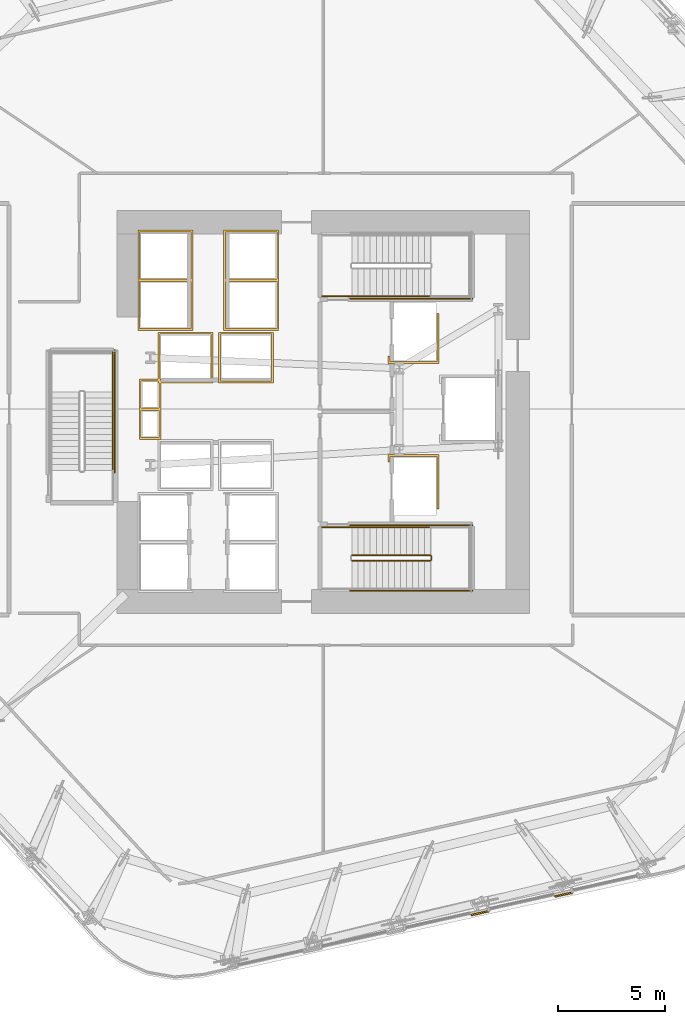
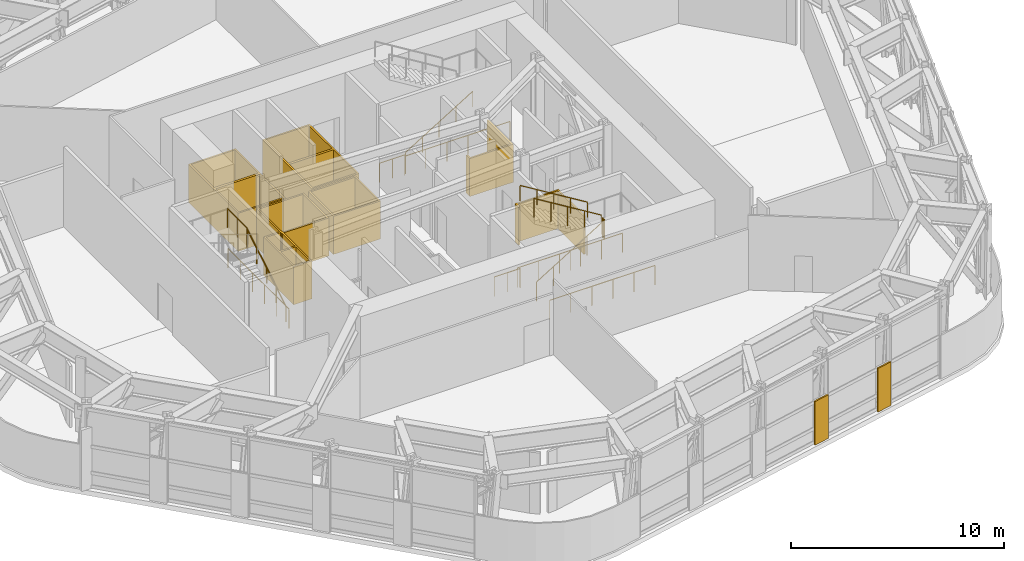
# One storey, part 13 of 16: 13 railings, 8 coverings.
"""IFC4 building model written with IfcOpenShell, lengths in metres."""

from ifc_helpers import new_model, si_unit, direction, frame, origin, origin_2d, place, context, subcontext, project, spatial, polyline, circle, outline, extrude, material, layer, layer_set, type_object, element, save


model = new_model("IFC4")

# Units and contexts
model_context = context("Model", 3, precision=1e-05, world=origin(), true_north=direction((0.0, 1.0)))
body_context = subcontext(model_context, "Body", "Model", "MODEL_VIEW")
ifc_project = project(units=[si_unit("LENGTHUNIT", "METRE"), si_unit("AREAUNIT", "SQUARE_METRE"), si_unit("VOLUMEUNIT", "CUBIC_METRE"), si_unit("PLANEANGLEUNIT", "RADIAN"), si_unit("MASSUNIT", "GRAM", prefix="KILO")], contexts=[model_context])

# Site, building, storey
site_placement = place(None, origin())
site = spatial("IfcSite", under=ifc_project, at=site_placement, CompositionType="ELEMENT")
building_placement = place(site_placement, origin())
building = spatial("IfcBuilding", under=site, at=building_placement, Name="Valkerne Bourse Tower", CompositionType="ELEMENT")
storey_placement = place(building_placement, frame((0.0, 0.0, 77.199951171875)))
storey = spatial("IfcBuildingStorey", under=building, at=storey_placement, Name="L19", CompositionType="ELEMENT", Elevation=77.199951171875)

# Coverings
ifc_material_1 = material(Name="Bronze Anodised Aluminium AA 6063-T6", Category="aluminium")
ifc_layer_1 = layer(ifc_material_1, 0.06005859375)
ifc_layer_set_1 = layer_set([ifc_layer_1], Name="Bronze Anodised Aluminium AA 6063-T6")
covering_type_1 = type_object("IfcCoveringType", Name="COV-CRN-ALUM", PredefinedType="CLADDING", material=ifc_layer_set_1)
covering_1_placement = place(storey_placement, origin())
element("IfcCovering", 1, at=covering_1_placement, inside=storey, type_object=covering_type_1, Name="L19 Wind-Shaped Corner Aluminium Cladding 02", PredefinedType="CLADDING", context=body_context, shape_type="SweptSolid", body=[
    extrude(outline(polyline([(57.58984375, 4.28125), (57.572509765625, 4.359375), (58.392578125, 4.541015625), (58.409912109375, 4.462890625), (57.58984375, 4.28125)])), origin(), (0.0, 0.0, 1.0), 2.5),
])
covering_2_placement = place(storey_placement, origin())
element("IfcCovering", 2, at=covering_2_placement, inside=storey, type_object=covering_type_1, Name="L19 Wind-Shaped Corner Aluminium Cladding 03", PredefinedType="CLADDING", context=body_context, shape_type="SweptSolid", body=[
    extrude(outline(polyline([(53.6884765625, 3.41650390625), (53.6708984375, 3.49462890625), (54.4912109375, 3.676513671875), (54.508544921875, 3.598388671875), (53.6884765625, 3.41650390625)])), origin(), (0.0, 0.0, 1.0), 2.5),
])
ifc_material_2 = material(Name="Gypsum Shaftwall Liner Board", Category="gypsum")
ifc_layer_2 = layer(ifc_material_2, 0.080078125)
ifc_layer_set_2 = layer_set([ifc_layer_2], Name="Gypsum Shaftwall Liner Board")
covering_type_2 = type_object("IfcCoveringType", Name="COV-SHF-CLAD", PredefinedType="CLADDING", material=ifc_layer_set_2)
covering_3_placement = place(storey_placement, origin())
element("IfcCovering", 3, at=covering_3_placement, inside=storey, type_object=covering_type_2, Name="L19 Hoistway & Riser Shaftwall Liner 04", PredefinedType="CLADDING", context=body_context, shape_type="SweptSolid", body=[
    extrude(outline(polyline([(38.239990234375, 28.409912109375), (39.1201171875, 28.409912109375), (39.1201171875, 30.580078125), (41.679931640625, 30.580078125), (41.679931640625, 28.219970703125), (39.239990234375, 28.219970703125), (39.239990234375, 27.0400390625), (39.239990234375, 26.9599609375), (39.239990234375, 25.590087890625), (38.239990234375, 25.590087890625), (38.239990234375, 26.9599609375), (38.239990234375, 27.0400390625), (38.239990234375, 28.409912109375)]), holes=[polyline([(39.2099609375, 30.489990234375), (39.2099609375, 28.409912109375), (39.239990234375, 28.409912109375), (39.239990234375, 28.31005859375), (41.590087890625, 28.31005859375), (41.590087890625, 30.489990234375), (39.2099609375, 30.489990234375)]), polyline([(38.330078125, 26.949951171875), (38.330078125, 25.679931640625), (39.14990234375, 25.679931640625), (39.14990234375, 26.949951171875), (38.330078125, 26.949951171875)]), polyline([(39.1201171875, 28.219970703125), (39.1201171875, 28.320068359375), (38.330078125, 28.320068359375), (38.330078125, 27.050048828125), (39.14990234375, 27.050048828125), (39.14990234375, 28.219970703125), (39.1201171875, 28.219970703125)])]), origin(), (0.0, 0.0, 1.0), 2.179931640625),
])
covering_4_placement = place(storey_placement, origin())
element("IfcCovering", 4, at=covering_4_placement, inside=storey, type_object=covering_type_2, Name="L19 Hoistway & Riser Shaftwall Liner 05", PredefinedType="CLADDING", context=body_context, shape_type="SweptSolid", body=[
    extrude(outline(polyline([(38.169921875, 35.330078125), (40.72998046875, 35.330078125), (40.72998046875, 33.030029296875), (40.72998046875, 32.969970703125), (40.72998046875, 30.669921875), (38.169921875, 30.669921875), (38.169921875, 32.969970703125), (38.169921875, 33.030029296875), (38.169921875, 35.330078125)]), holes=[polyline([(38.260009765625, 32.93994140625), (38.260009765625, 30.760009765625), (40.639892578125, 30.760009765625), (40.639892578125, 32.93994140625), (38.260009765625, 32.93994140625)]), polyline([(38.260009765625, 35.239990234375), (38.260009765625, 33.06005859375), (40.639892578125, 33.06005859375), (40.639892578125, 35.239990234375), (38.260009765625, 35.239990234375)])]), origin(), (0.0, 0.0, 1.0), 2.179931640625),
])
covering_5_placement = place(storey_placement, origin())
element("IfcCovering", 5, at=covering_5_placement, inside=storey, type_object=covering_type_2, Name="L19 Hoistway & Riser Shaftwall Liner 07", PredefinedType="CLADDING", context=body_context, shape_type="SweptSolid", body=[
    extrude(outline(polyline([(52.179931640625, 22.35009765625), (52.090087890625, 22.35009765625), (52.090087890625, 24.7900390625), (49.909912109375, 24.7900390625), (49.909912109375, 24.560791015625), (49.869384765625, 24.550537109375), (49.827880859375, 24.53564453125), (49.820068359375, 24.531982421875), (49.820068359375, 24.8798828125), (52.179931640625, 24.8798828125), (52.179931640625, 22.35009765625)])), origin(), (0.0, 0.0, 1.0), 2.179931640625),
])
covering_6_placement = place(storey_placement, origin())
element("IfcCovering", 6, at=covering_6_placement, inside=storey, type_object=covering_type_2, Name="L19 Hoistway & Riser Shaftwall Liner 09", PredefinedType="CLADDING", context=body_context, shape_type="SweptSolid", body=[
    extrude(outline(polyline([(44.47998046875, 28.219970703125), (41.919921875, 28.219970703125), (41.919921875, 30.580078125), (44.47998046875, 30.580078125), (44.47998046875, 28.219970703125)]), holes=[polyline([(42.010009765625, 30.489990234375), (42.010009765625, 28.31005859375), (44.389892578125, 28.31005859375), (44.389892578125, 30.489990234375), (42.010009765625, 30.489990234375)])]), origin(), (0.0, 0.0, 1.0), 2.179931640625),
])
covering_7_placement = place(storey_placement, origin())
element("IfcCovering", 7, at=covering_7_placement, inside=storey, type_object=covering_type_2, Name="L19 Hoistway & Riser Shaftwall Liner 10", PredefinedType="CLADDING", context=body_context, shape_type="SweptSolid", body=[
    extrude(outline(polyline([(49.820068359375, 29.1201171875), (49.820068359375, 29.468017578125), (49.827880859375, 29.46435546875), (49.869384765625, 29.449462890625), (49.909912109375, 29.439208984375), (49.909912109375, 29.2099609375), (52.090087890625, 29.2099609375), (52.090087890625, 31.449951171875), (52.179931640625, 31.449951171875), (52.179931640625, 29.1201171875), (49.820068359375, 29.1201171875)])), origin(), (0.0, 0.0, 1.0), 2.179931640625),
])
covering_8_placement = place(storey_placement, origin())
element("IfcCovering", 8, at=covering_8_placement, inside=storey, type_object=covering_type_2, Name="L19 Hoistway & Riser Shaftwall Liner 11", PredefinedType="CLADDING", context=body_context, shape_type="SweptSolid", body=[
    extrude(outline(polyline([(44.72998046875, 35.330078125), (44.72998046875, 33.030029296875), (44.72998046875, 32.969970703125), (44.72998046875, 30.669921875), (42.169921875, 30.669921875), (42.169921875, 32.969970703125), (42.169921875, 33.030029296875), (42.169921875, 35.330078125), (44.72998046875, 35.330078125)]), holes=[polyline([(42.260009765625, 30.760009765625), (44.639892578125, 30.760009765625), (44.639892578125, 32.93994140625), (42.260009765625, 32.93994140625), (42.260009765625, 30.760009765625)]), polyline([(42.260009765625, 33.06005859375), (44.639892578125, 33.06005859375), (44.639892578125, 35.239990234375), (42.260009765625, 35.239990234375), (42.260009765625, 33.06005859375)])]), origin(), (0.0, 0.0, 1.0), 2.179931640625),
])

# Railings
ifc_material_3 = material(Name="Galvanised Painted Steel", Category="steel")
railing_type_1 = type_object("IfcRailingType", Name="RLG-ST-GUARD-1120", PredefinedType="GUARDRAIL", material=ifc_material_3)
railing_1_placement = place(storey_placement, frame((48.14990234375, 19.949951171875, 0.17138671875)))
element("IfcRailing", 9, at=railing_1_placement, inside=storey, type_object=railing_type_1, Name="L19 ST-1 stair guard 1", PredefinedType="GUARDRAIL", context=body_context, shape_type="SweptSolid", body=[
    extrude(circle(Radius=0.02392578125, at=origin_2d()), frame((0.0, 0.0, 1.09619140625), z_axis=(0.852840387347, 0.0, 0.522171689878), x_axis=(0.0, 1.0, 0.0)), (0.0, 0.0, 1.0), 4.268310546875),
    extrude(circle(Radius=0.02099609375, at=origin_2d()), origin(), (0.0, 0.0, 1.0), 1.072021484375),
    extrude(circle(Radius=0.02099609375, at=origin_2d()), frame((0.91015625, 0.0, 0.55712890625)), (0.0, 0.0, 1.0), 1.072021484375),
    extrude(circle(Radius=0.02099609375, at=origin_2d()), frame((1.820068359375, 0.0, 1.1142578125)), (0.0, 0.0, 1.0), 1.072021484375),
    extrude(circle(Radius=0.02099609375, at=origin_2d()), frame((2.72998046875, 0.0, 1.671630859375)), (0.0, 0.0, 1.0), 1.072021484375),
    extrude(circle(Radius=0.02099609375, at=origin_2d()), frame((3.64013671875, 0.0, 2.228759765625)), (0.0, 0.0, 1.0), 1.072021484375),
])
railing_2_placement = place(storey_placement, frame((51.840087890625, 20.0, 2.400146484375)))
element("IfcRailing", 10, at=railing_2_placement, inside=storey, type_object=railing_type_1, Name="L19 ST-1 stair guard 2", PredefinedType="GUARDRAIL", context=body_context, shape_type="SweptSolid", body=[
    extrude(circle(Radius=0.02392578125, at=origin_2d()), frame((0.0, 0.0, 1.09619140625), z_axis=(0.0, 1.0, 0.0), x_axis=(-1.0, 0.0, 0.0)), (0.0, 0.0, 1.0), 0.14990234375),
    extrude(circle(Radius=0.02099609375, at=origin_2d()), origin(), (0.0, 0.0, 1.0), 1.072021484375),
    extrude(circle(Radius=0.02099609375, at=origin_2d()), frame((0.0, 0.14990234375, 0.0)), (0.0, 0.0, 1.0), 1.072021484375),
])
railing_3_placement = place(storey_placement, frame((51.7900390625, 20.199951171875, 2.571533203125)))
element("IfcRailing", 11, at=railing_3_placement, inside=storey, type_object=railing_type_1, Name="L19 ST-1 stair guard 6", PredefinedType="GUARDRAIL", context=body_context, shape_type="SweptSolid", body=[
    extrude(circle(Radius=0.02392578125, at=origin_2d()), frame((0.0, 0.0, 1.09619140625), z_axis=(-0.852865859571, 0.0, 0.52213008492), x_axis=(0.0, -1.0, 0.0)), (0.0, 0.0, 1.0), 4.26806640625),
    extrude(circle(Radius=0.02099609375, at=origin_2d()), origin(), (0.0, 0.0, 1.0), 1.072021484375),
    extrude(circle(Radius=0.02099609375, at=origin_2d()), frame((-0.91015625, 0.0, 0.55712890625)), (0.0, 0.0, 1.0), 1.072021484375),
    extrude(circle(Radius=0.02099609375, at=origin_2d()), frame((-1.820068359375, 0.0, 1.1142578125)), (0.0, 0.0, 1.0), 1.072021484375),
    extrude(circle(Radius=0.02099609375, at=origin_2d()), frame((-2.72998046875, 0.0, 1.67138671875)), (0.0, 0.0, 1.0), 1.072021484375),
    extrude(circle(Radius=0.02099609375, at=origin_2d()), frame((-3.64013671875, 0.0, 2.228515625)), (0.0, 0.0, 1.0), 1.072021484375),
])
railing_4_placement = place(storey_placement, frame((46.75, 21.5, 0.0)))
element("IfcRailing", 12, at=railing_4_placement, inside=storey, type_object=railing_type_1, Name="L19 ST-1 stair guard 9", PredefinedType="GUARDRAIL", context=body_context, shape_type="SweptSolid", body=[
    extrude(circle(Radius=0.02392578125, at=origin_2d()), frame((0.0, 0.0, 1.09619140625), z_axis=(1.0, 0.0, 0.0), x_axis=(0.0, 1.0, 0.0)), (0.0, 0.0, 1.0), 1.39990234375),
    extrude(circle(Radius=0.02099609375, at=origin_2d()), origin(), (0.0, 0.0, 1.0), 1.072021484375),
    extrude(circle(Radius=0.02099609375, at=origin_2d()), frame((0.699951171875, 0.0, 0.0)), (0.0, 0.0, 1.0), 1.072021484375),
    extrude(circle(Radius=0.02099609375, at=origin_2d()), frame((1.39990234375, 0.0, 0.0)), (0.0, 0.0, 1.0), 1.072021484375),
])
for number, where, name in (
    (13, (48.050048828125, 18.550048828125, 0.0), "L19 ST-1 stair guard 10"),
    (14, (48.050048828125, 21.60009765625, 0.0), "L19 ST-1 stair guard 11"),
):
    element("IfcRailing", number, at=place(storey_placement, frame(where)), inside=storey, type_object=railing_type_1, Name=name, PredefinedType="GUARDRAIL", context=body_context, shape_type="SweptSolid", body=[
        extrude(circle(Radius=0.02392578125, at=origin_2d()), frame((0.0, 0.0, 1.09619140625), z_axis=(1.0, 0.0, 0.0), x_axis=(0.0, 1.0, 0.0)), (0.0, 0.0, 1.0), 5.699951171875),
        extrude(circle(Radius=0.02099609375, at=origin_2d()), origin(), (0.0, 0.0, 1.0), 1.072021484375),
        extrude(circle(Radius=0.02099609375, at=origin_2d()), frame((1.139892578125, 0.0, 0.0)), (0.0, 0.0, 1.0), 1.072021484375),
        extrude(circle(Radius=0.02099609375, at=origin_2d()), frame((2.280029296875, 0.0, 0.0)), (0.0, 0.0, 1.0), 1.072021484375),
        extrude(circle(Radius=0.02099609375, at=origin_2d()), frame((3.419921875, 0.0, 0.0)), (0.0, 0.0, 1.0), 1.072021484375),
        extrude(circle(Radius=0.02099609375, at=origin_2d()), frame((4.56005859375, 0.0, 0.0)), (0.0, 0.0, 1.0), 1.072021484375),
        extrude(circle(Radius=0.02099609375, at=origin_2d()), frame((5.699951171875, 0.0, 0.0)), (0.0, 0.0, 1.0), 1.072021484375),
    ])
railing_5_placement = place(storey_placement, frame((46.75, 32.25, 0.0)))
element("IfcRailing", 15, at=railing_5_placement, inside=storey, type_object=railing_type_1, Name="L19 ST-2 stair guard 8", PredefinedType="GUARDRAIL", context=body_context, shape_type="SweptSolid", body=[
    extrude(circle(Radius=0.02392578125, at=origin_2d()), frame((0.0, 0.0, 1.09619140625), z_axis=(1.0, 0.0, 0.0), x_axis=(0.0, 1.0, 0.0)), (0.0, 0.0, 1.0), 1.39990234375),
    extrude(circle(Radius=0.02099609375, at=origin_2d()), origin(), (0.0, 0.0, 1.0), 1.072021484375),
    extrude(circle(Radius=0.02099609375, at=origin_2d()), frame((0.699951171875, 0.0, 0.0)), (0.0, 0.0, 1.0), 1.072021484375),
    extrude(circle(Radius=0.02099609375, at=origin_2d()), frame((1.39990234375, 0.0, 0.0)), (0.0, 0.0, 1.0), 1.072021484375),
])
railing_6_placement = place(storey_placement, frame((48.050048828125, 32.14990234375, 0.0)))
element("IfcRailing", 16, at=railing_6_placement, inside=storey, type_object=railing_type_1, Name="L19 ST-2 stair guard 10", PredefinedType="GUARDRAIL", context=body_context, shape_type="SweptSolid", body=[
    extrude(circle(Radius=0.02392578125, at=origin_2d()), frame((0.0, 0.0, 1.09619140625), z_axis=(1.0, 0.0, 0.0), x_axis=(0.0, 1.0, 0.0)), (0.0, 0.0, 1.0), 5.699951171875),
    extrude(circle(Radius=0.02099609375, at=origin_2d()), origin(), (0.0, 0.0, 1.0), 1.072021484375),
    extrude(circle(Radius=0.02099609375, at=origin_2d()), frame((1.139892578125, 0.0, 0.0)), (0.0, 0.0, 1.0), 1.072021484375),
    extrude(circle(Radius=0.02099609375, at=origin_2d()), frame((2.280029296875, 0.0, 0.0)), (0.0, 0.0, 1.0), 1.072021484375),
    extrude(circle(Radius=0.02099609375, at=origin_2d()), frame((3.419921875, 0.0, 0.0)), (0.0, 0.0, 1.0), 1.072021484375),
    extrude(circle(Radius=0.02099609375, at=origin_2d()), frame((4.56005859375, 0.0, 0.0)), (0.0, 0.0, 1.0), 1.072021484375),
    extrude(circle(Radius=0.02099609375, at=origin_2d()), frame((5.699951171875, 0.0, 0.0)), (0.0, 0.0, 1.0), 1.072021484375),
])
railing_7_placement = place(storey_placement, frame((37.0, 27.7900390625, 2.400146484375)))
element("IfcRailing", 17, at=railing_7_placement, inside=storey, type_object=railing_type_1, Name="L19 ST-3 stair guard 3", PredefinedType="GUARDRAIL", context=body_context, shape_type="SweptSolid", body=[
    extrude(circle(Radius=0.02392578125, at=origin_2d()), frame((0.0, 0.0, 1.09619140625), z_axis=(0.0, 1.0, 0.0), x_axis=(-1.0, 0.0, 0.0)), (0.0, 0.0, 1.0), 1.85986328125),
    extrude(circle(Radius=0.02099609375, at=origin_2d()), origin(), (0.0, 0.0, 1.0), 1.072021484375),
    extrude(circle(Radius=0.02099609375, at=origin_2d()), frame((0.0, 0.929931640625, 0.0)), (0.0, 0.0, 1.0), 1.072021484375),
    extrude(circle(Radius=0.02099609375, at=origin_2d()), frame((0.0, 1.85986328125, 0.0)), (0.0, 0.0, 1.0), 1.072021484375),
])
railing_8_placement = place(storey_placement, frame((37.10009765625, 24.050048828125, 0.0)))
element("IfcRailing", 18, at=railing_8_placement, inside=storey, type_object=railing_type_1, Name="L19 ST-3 stair guard 10", PredefinedType="GUARDRAIL", context=body_context, shape_type="SweptSolid", body=[
    extrude(circle(Radius=0.02392578125, at=origin_2d()), frame((0.0, 0.0, 1.09619140625), z_axis=(0.0, 1.0, 0.0), x_axis=(-1.0, 0.0, 0.0)), (0.0, 0.0, 1.0), 5.699951171875),
    extrude(circle(Radius=0.02099609375, at=origin_2d()), origin(), (0.0, 0.0, 1.0), 1.072021484375),
    extrude(circle(Radius=0.02099609375, at=origin_2d()), frame((0.0, 1.139892578125, 0.0)), (0.0, 0.0, 1.0), 1.072021484375),
    extrude(circle(Radius=0.02099609375, at=origin_2d()), frame((0.0, 2.280029296875, 0.0)), (0.0, 0.0, 1.0), 1.072021484375),
    extrude(circle(Radius=0.02099609375, at=origin_2d()), frame((0.0, 3.419921875, 0.0)), (0.0, 0.0, 1.0), 1.072021484375),
    extrude(circle(Radius=0.02099609375, at=origin_2d()), frame((0.0, 4.56005859375, 0.0)), (0.0, 0.0, 1.0), 1.072021484375),
    extrude(circle(Radius=0.02099609375, at=origin_2d()), frame((0.0, 5.699951171875, 0.0)), (0.0, 0.0, 1.0), 1.072021484375),
])
ifc_material_4 = material(Name="Stainless Steel AISI 316", Category="steel")
railing_type_2 = type_object("IfcRailingType", Name="RLG-ST-HANDRAIL-900", PredefinedType="HANDRAIL", material=ifc_material_4)
railing_9_placement = place(storey_placement, frame((51.7900390625, 21.5, 2.742919921875)))
element("IfcRailing", 19, at=railing_9_placement, inside=storey, type_object=railing_type_2, Name="L19 ST-1 stair handrail 2", PredefinedType="HANDRAIL", context=body_context, shape_type="SweptSolid", body=[
    extrude(circle(Radius=0.02392578125, at=origin_2d()), frame((0.0, 0.0, 0.8759765625), z_axis=(-0.852865859571, 0.0, 0.52213008492), x_axis=(0.0, -1.0, 0.0)), (0.0, 0.0, 1.0), 4.26806640625),
    extrude(circle(Radius=0.02099609375, at=origin_2d()), origin(), (0.0, 0.0, 1.0), 0.851806640625),
    extrude(circle(Radius=0.02099609375, at=origin_2d()), frame((-0.91015625, 0.0, 0.55712890625)), (0.0, 0.0, 1.0), 0.851806640625),
    extrude(circle(Radius=0.02099609375, at=origin_2d()), frame((-1.820068359375, 0.0, 1.1142578125)), (0.0, 0.0, 1.0), 0.851806640625),
    extrude(circle(Radius=0.02099609375, at=origin_2d()), frame((-2.72998046875, 0.0, 1.67138671875)), (0.0, 0.0, 1.0), 0.851806640625),
    extrude(circle(Radius=0.02099609375, at=origin_2d()), frame((-3.64013671875, 0.0, 2.228515625)), (0.0, 0.0, 1.0), 0.851806640625),
])
railing_10_placement = place(storey_placement, frame((48.14990234375, 32.25, 0.343017578125)))
element("IfcRailing", 20, at=railing_10_placement, inside=storey, type_object=railing_type_2, Name="L19 ST-2 stair handrail 1", PredefinedType="HANDRAIL", context=body_context, shape_type="SweptSolid", body=[
    extrude(circle(Radius=0.02392578125, at=origin_2d()), frame((0.0, 0.0, 0.8759765625), z_axis=(0.852865859571, 0.0, 0.52213008492), x_axis=(0.0, 1.0, 0.0)), (0.0, 0.0, 1.0), 4.26806640625),
    extrude(circle(Radius=0.02099609375, at=origin_2d()), origin(), (0.0, 0.0, 1.0), 0.851806640625),
    extrude(circle(Radius=0.02099609375, at=origin_2d()), frame((0.91015625, 0.0, 0.55712890625)), (0.0, 0.0, 1.0), 0.851806640625),
    extrude(circle(Radius=0.02099609375, at=origin_2d()), frame((1.820068359375, 0.0, 1.1142578125)), (0.0, 0.0, 1.0), 0.851806640625),
    extrude(circle(Radius=0.02099609375, at=origin_2d()), frame((2.72998046875, 0.0, 1.67138671875)), (0.0, 0.0, 1.0), 0.851806640625),
    extrude(circle(Radius=0.02099609375, at=origin_2d()), frame((3.64013671875, 0.0, 2.228515625)), (0.0, 0.0, 1.0), 0.851806640625),
])
railing_11_placement = place(storey_placement, frame((37.0, 24.14990234375, 0.343017578125)))
element("IfcRailing", 21, at=railing_11_placement, inside=storey, type_object=railing_type_2, Name="L19 ST-3 stair handrail 1", PredefinedType="HANDRAIL", context=body_context, shape_type="SweptSolid", body=[
    extrude(circle(Radius=0.02392578125, at=origin_2d()), frame((0.0, 0.0, 0.8759765625), z_axis=(0.0, 0.852865859571, 0.52213008492), x_axis=(-1.0, 0.0, 0.0)), (0.0, 0.0, 1.0), 4.26806640625),
    extrude(circle(Radius=0.02099609375, at=origin_2d()), origin(), (0.0, 0.0, 1.0), 0.851806640625),
    extrude(circle(Radius=0.02099609375, at=origin_2d()), frame((0.0, 0.91015625, 0.55712890625)), (0.0, 0.0, 1.0), 0.851806640625),
    extrude(circle(Radius=0.02099609375, at=origin_2d()), frame((0.0, 1.820068359375, 1.1142578125)), (0.0, 0.0, 1.0), 0.851806640625),
    extrude(circle(Radius=0.02099609375, at=origin_2d()), frame((0.0, 2.72998046875, 1.67138671875)), (0.0, 0.0, 1.0), 0.851806640625),
    extrude(circle(Radius=0.02099609375, at=origin_2d()), frame((0.0, 3.64013671875, 2.228515625)), (0.0, 0.0, 1.0), 0.851806640625),
])

save(model, "model.ifc")
